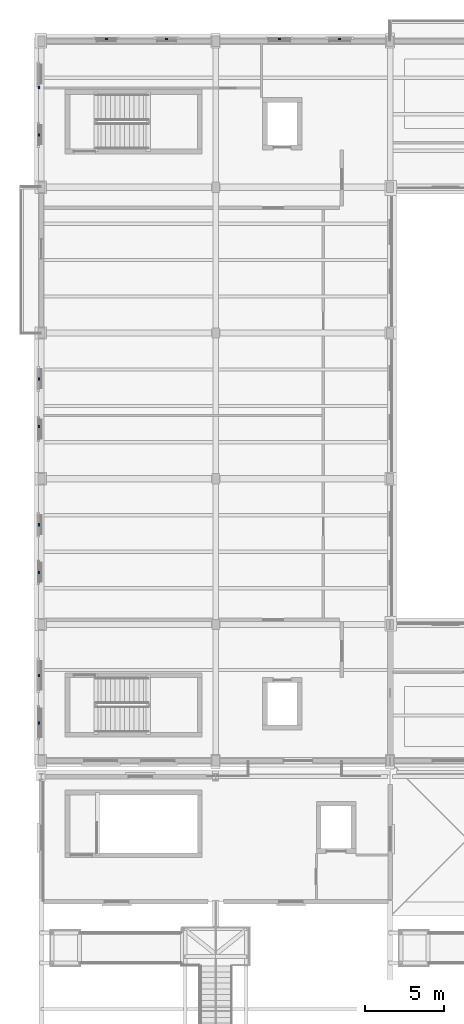
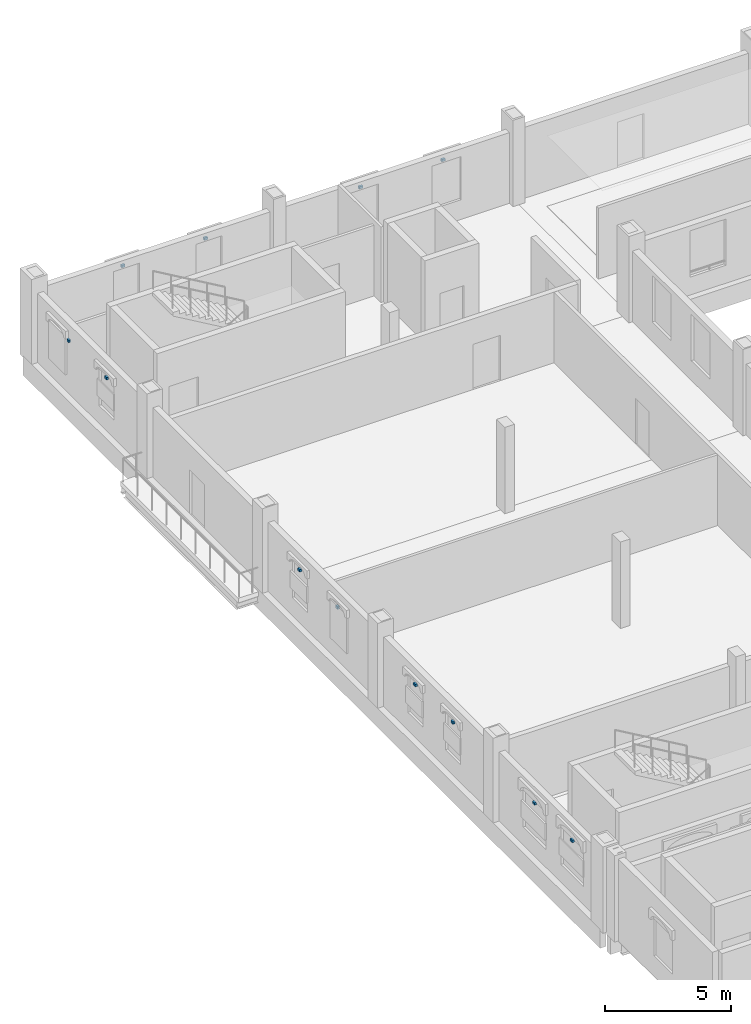
# One storey, part 30 of 43: 12 discrete accessories.
"""IFC4 building model written with IfcOpenShell, lengths in metres."""

from ifc_helpers import new_model, si_unit, direction, frame, origin, origin_2d, place, context, subcontext, project, spatial, rectangle, extrude, material, type_object, element, save


model = new_model("IFC4")

# Units and contexts
model_context = context("Model", 3, precision=1e-05, world=origin(), true_north=direction((0.0, 1.0)))
body_context = subcontext(model_context, "Body", "Model", "MODEL_VIEW")
ifc_project = project(units=[si_unit("LENGTHUNIT", "METRE"), si_unit("AREAUNIT", "SQUARE_METRE"), si_unit("VOLUMEUNIT", "CUBIC_METRE"), si_unit("PLANEANGLEUNIT", "RADIAN"), si_unit("MASSUNIT", "GRAM", prefix="KILO")], contexts=[model_context])

# Site, building, storey
site_placement = place(None, origin())
site = spatial("IfcSite", under=ifc_project, at=site_placement, CompositionType="ELEMENT")
building_placement = place(site_placement, origin())
building = spatial("IfcBuilding", under=site, at=building_placement, Name="Caurita Quay Ferry Terminal", CompositionType="ELEMENT")
storey_placement = place(building_placement, frame((0.0, 0.0, 14.10009765625)))
storey = spatial("IfcBuildingStorey", under=building, at=storey_placement, Name="L03", CompositionType="ELEMENT", Elevation=14.10009765625)

# Discrete accessories
ifc_material = material(Name="Structural plate steel ASTM A572 Gr. 50", Category="steel")
discrete_accessory_type = type_object("IfcDiscreteAccessoryType", Name="ACC-BRK-01", PredefinedType="BRACKET", material=ifc_material)
for number, where, z_axis, x_axis, name in (
    (1, (7.89990234375, 117.139892578125, 2.909912109375), (0.0, 0.0, 1.0), (-1.0, 0.0, 0.0), "L03 Sun-Breaker Bracket 025"),
    (2, (4.10009765625, 117.139892578125, 2.909912109375), (0.0, 0.0, 1.0), (-1.0, 0.0, 0.0), "L03 Sun-Breaker Bracket 026"),
    (3, (18.824951171875, 117.139892578125, 2.909912109375), (0.0, 0.0, 1.0), (-1.0, 0.0, 0.0), "L03 Sun-Breaker Bracket 027"),
    (4, (15.02490234375, 117.139892578125, 2.909912109375), (0.0, 0.0, 1.0), (-1.0, 0.0, 0.0), "L03 Sun-Breaker Bracket 028"),
    (5, (-0.139892578125, 77.0, 2.60986328125), (0.0, 0.0, 1.0), (0.0, -1.0, 0.0), "L03 Sun-Breaker Bracket 051"),
    (6, (-0.139892578125, 74.0, 2.60986328125), (0.0, 0.0, 1.0), (0.0, -1.0, 0.0), "L03 Sun-Breaker Bracket 052"),
    (7, (-0.139892578125, 86.5, 2.60986328125), (0.0, 0.0, 1.0), (0.0, -1.0, 0.0), "L03 Sun-Breaker Bracket 053"),
    (8, (-0.139892578125, 83.5, 2.60986328125), (0.0, 0.0, 1.0), (0.0, -1.0, 0.0), "L03 Sun-Breaker Bracket 054"),
    (9, (-0.139892578125, 95.699951171875, 2.60986328125), (0.0, 0.0, 1.0), (0.0, -1.0, 0.0), "L03 Sun-Breaker Bracket 055"),
    (10, (-0.139892578125, 92.699951171875, 2.60986328125), (0.0, 0.0, 1.0), (0.0, -1.0, 0.0), "L03 Sun-Breaker Bracket 056"),
    (11, (-0.139892578125, 114.10009765625, 2.60986328125), (0.0, 0.0, 1.0), (0.0, -1.0, 0.0), "L03 Sun-Breaker Bracket 057"),
    (12, (-0.139892578125, 111.10009765625, 2.60986328125), (0.0, 0.0, 1.0), (0.0, -1.0, 0.0), "L03 Sun-Breaker Bracket 058"),
):
    element("IfcDiscreteAccessory", number, at=place(storey_placement, frame(where, z_axis=z_axis, x_axis=x_axis)), inside=storey, type_object=discrete_accessory_type, Name=name, PredefinedType="BRACKET", context=body_context, shape_type="SweptSolid", body=[
        extrude(rectangle(XDim=0.159912109375, YDim=0.10009765625, at=origin_2d()), origin(), (0.0, 0.0, 1.0), 0.1201171875),
    ])

save(model, "model.ifc")
